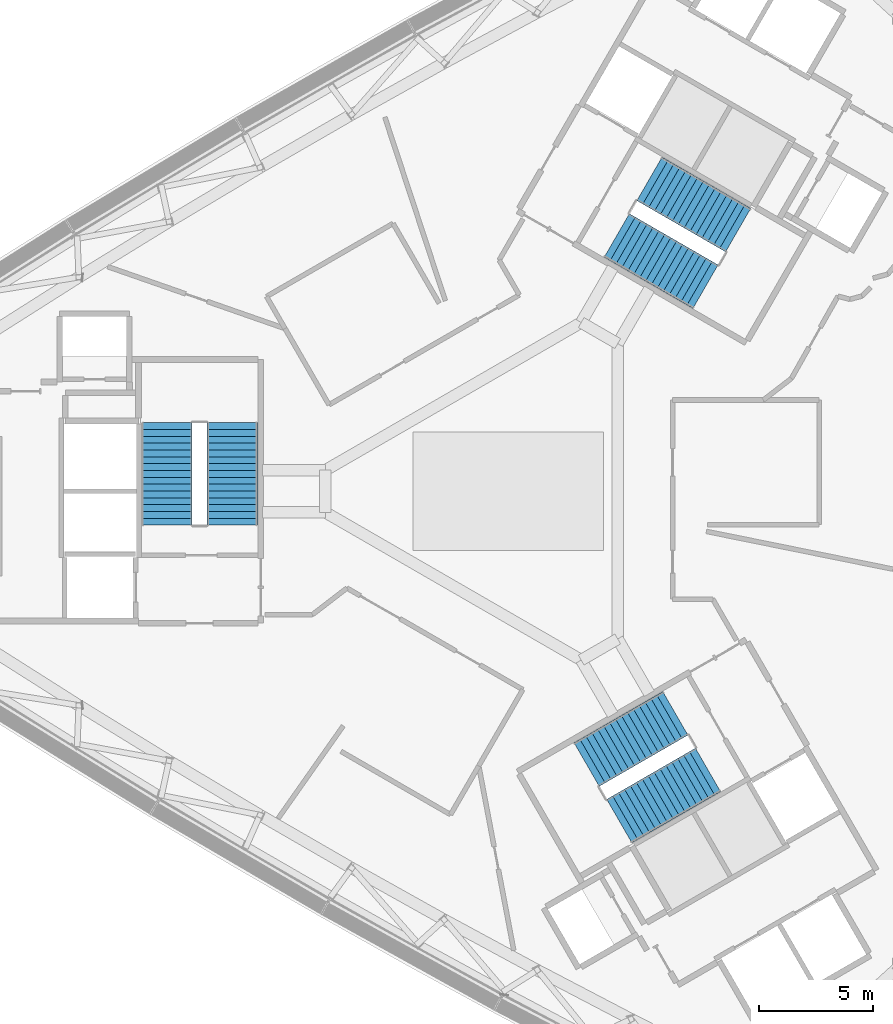
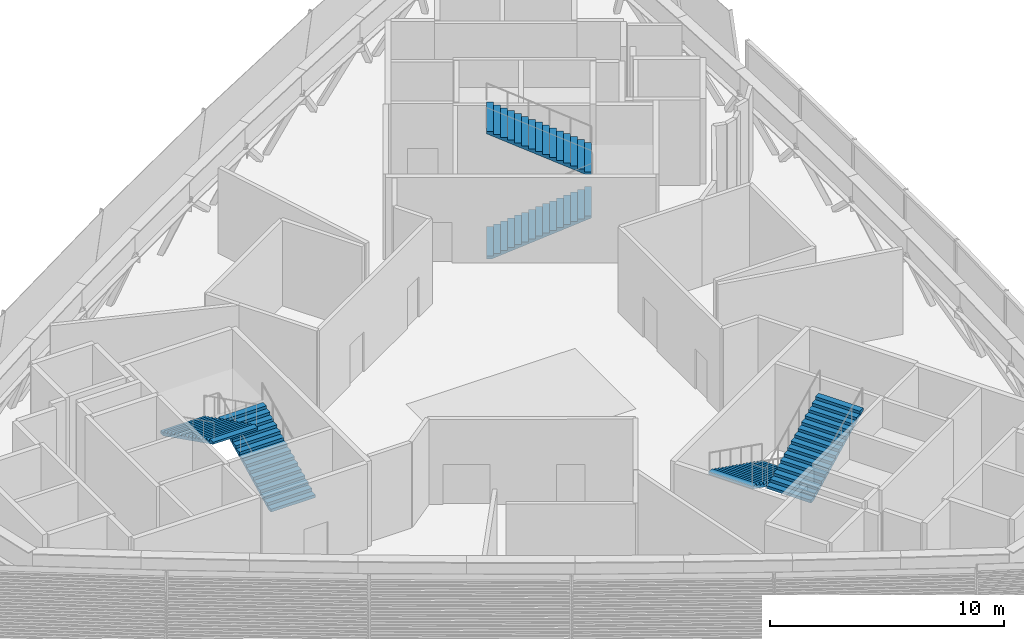
# One storey, part 13 of 18: 6 stair flights, 3 elements without a shape of their own.
"""IFC4 building model written with IfcOpenShell, lengths in metres."""

from ifc_helpers import new_model, si_unit, direction, frame, origin, place, context, subcontext, project, spatial, polyline, outline, extrude, material, type_object, element, aggregate, save


model = new_model("IFC4")

# Units and contexts
model_context = context("Model", 3, precision=1e-05, world=origin(), true_north=direction((0.0, 1.0)))
body_context = subcontext(model_context, "Body", "Model", "MODEL_VIEW")
ifc_project = project(units=[si_unit("LENGTHUNIT", "METRE"), si_unit("AREAUNIT", "SQUARE_METRE"), si_unit("VOLUMEUNIT", "CUBIC_METRE"), si_unit("PLANEANGLEUNIT", "RADIAN"), si_unit("MASSUNIT", "GRAM", prefix="KILO")], contexts=[model_context])

# Site, building, storey
site_placement = place(None, origin())
site = spatial("IfcSite", under=ifc_project, at=site_placement, CompositionType="ELEMENT")
building_placement = place(site_placement, origin())
building = spatial("IfcBuilding", under=site, at=building_placement, Name="Tamra Quay Hotel Tower", CompositionType="ELEMENT")
storey_placement = place(building_placement, frame((0.0, 0.0, 164.800048828125)))
storey = spatial("IfcBuildingStorey", under=building, at=storey_placement, Name="L41", CompositionType="ELEMENT", Elevation=164.800048828125)

# Stair, stair flights
ifc_material_1 = material(Name="Exit stair 2200 32 risers 150.0 going 299")
stair_type = type_object("IfcStairType", Name="Exit stair 2200 32 risers 150.0 going 299", PredefinedType="HALF_TURN_STAIR", material=ifc_material_1)
stair_1_placement = place(storey_placement, origin())
stair_1 = element("IfcStair", 1, at=stair_1_placement, inside=storey, type_object=stair_type, Name="L41 Exit stair ST3", PredefinedType="HALF_TURN_STAIR")
ifc_material_2 = material(Name="Exit stair flight 2200 16 risers 150.0")
stair_flight_type = type_object("IfcStairFlightType", Name="Exit stair flight 2200 16 risers 150.0", PredefinedType="STRAIGHT", material=ifc_material_2)
stair_flight_1_placement = place(storey_placement, frame((-12.082275390625, -1.47998046875, 0.0), z_axis=(0.0, 0.0, 1.0), x_axis=(0.0, 1.0, 0.0)))
stair_flight_1 = element("IfcStairFlight", 2, at=stair_flight_1_placement, type_object=stair_flight_type, Name="ST3 flight 1", NumberOfRisers=16, NumberOfTreads=15, PredefinedType="STRAIGHT", RiserHeight=0.15, TreadLength=0.299, context=body_context, shape_type="SweptSolid", body=[
    extrude(outline(polyline([(0.0, 0.0), (0.0, 0.14990234375), (0.299072265625, 0.14990234375), (0.299072265625, 0.300048828125), (0.597900390625, 0.300048828125), (0.597900390625, 0.449951171875), (0.89697265625, 0.449951171875), (0.89697265625, 0.60009765625), (1.196044921875, 0.60009765625), (1.196044921875, 0.75), (1.4951171875, 0.75), (1.4951171875, 0.89990234375), (1.7939453125, 0.89990234375), (1.7939453125, 1.050048828125), (2.093017578125, 1.050048828125), (2.093017578125, 1.199951171875), (2.39208984375, 1.199951171875), (2.39208984375, 1.35009765625), (2.69091796875, 1.35009765625), (2.69091796875, 1.5), (2.989990234375, 1.5), (2.989990234375, 1.64990234375), (3.2890625, 1.64990234375), (3.2890625, 1.800048828125), (3.587890625, 1.800048828125), (3.587890625, 1.949951171875), (3.886962890625, 1.949951171875), (3.886962890625, 2.10009765625), (4.18603515625, 2.10009765625), (4.18603515625, 2.25), (4.485107421875, 2.25), (4.485107421875, 2.39990234375), (4.485107421875, 2.137939453125), (0.22314453125, 0.0), (0.0, 0.0)])), frame((0.0, 1.10009765625, 0.0), z_axis=(0.0, -1.0, 0.0), x_axis=(1.0, 0.0, 0.0)), (0.0, 0.0, 1.0), 2.199951171875),
])
stair_flight_2_placement = place(storey_placement, frame((-14.94140625, 3.0048828125, 2.39990234375), z_axis=(0.0, 0.0, 1.0), x_axis=(0.0, -1.0, 0.0)))
stair_flight_2 = element("IfcStairFlight", 3, at=stair_flight_2_placement, type_object=stair_flight_type, Name="ST3 flight 2", NumberOfRisers=16, NumberOfTreads=15, PredefinedType="STRAIGHT", RiserHeight=0.15, TreadLength=0.299, context=body_context, shape_type="SweptSolid", body=[
    extrude(outline(polyline([(0.0, 0.0), (0.0, 0.14990234375), (0.299072265625, 0.14990234375), (0.299072265625, 0.300048828125), (0.597900390625, 0.300048828125), (0.597900390625, 0.449951171875), (0.89697265625, 0.449951171875), (0.89697265625, 0.60009765625), (1.196044921875, 0.60009765625), (1.196044921875, 0.75), (1.4951171875, 0.75), (1.4951171875, 0.89990234375), (1.7939453125, 0.89990234375), (1.7939453125, 1.050048828125), (2.093017578125, 1.050048828125), (2.093017578125, 1.199951171875), (2.39208984375, 1.199951171875), (2.39208984375, 1.35009765625), (2.69091796875, 1.35009765625), (2.69091796875, 1.5), (2.989990234375, 1.5), (2.989990234375, 1.64990234375), (3.2890625, 1.64990234375), (3.2890625, 1.800048828125), (3.587890625, 1.800048828125), (3.587890625, 1.949951171875), (3.886962890625, 1.949951171875), (3.886962890625, 2.10009765625), (4.18603515625, 2.10009765625), (4.18603515625, 2.25), (4.485107421875, 2.25), (4.485107421875, 2.39990234375), (4.485107421875, 2.137939453125), (0.22314453125, 0.0), (0.0, 0.0)])), frame((0.0, 1.10009765625, 0.0), z_axis=(0.0, -1.0, 0.0), x_axis=(1.0, 0.0, 0.0)), (0.0, 0.0, 1.0), 2.199951171875),
])
aggregate(stair_1, [stair_flight_1, stair_flight_2])

stair_2_placement = place(storey_placement, origin())
stair_2 = element("IfcStair", 4, at=stair_2_placement, inside=storey, type_object=stair_type, Name="L41 Exit stair ST1", PredefinedType="HALF_TURN_STAIR")
stair_flight_3_placement = place(storey_placement, frame((4.75927734375, 11.20361328125, 0.0), z_axis=(0.0, 0.0, 1.0), x_axis=(0.866025403784, -0.5, 0.0)))
stair_flight_3 = element("IfcStairFlight", 5, at=stair_flight_3_placement, type_object=stair_flight_type, Name="ST1 flight 1", NumberOfRisers=16, NumberOfTreads=15, PredefinedType="STRAIGHT", RiserHeight=0.15, TreadLength=0.299, context=body_context, shape_type="SweptSolid", body=[
    extrude(outline(polyline([(0.0, 0.0), (0.0, 0.14990234375), (0.299072265625, 0.14990234375), (0.299072265625, 0.300048828125), (0.597900390625, 0.300048828125), (0.597900390625, 0.449951171875), (0.89697265625, 0.449951171875), (0.89697265625, 0.60009765625), (1.196044921875, 0.60009765625), (1.196044921875, 0.75), (1.4951171875, 0.75), (1.4951171875, 0.89990234375), (1.7939453125, 0.89990234375), (1.7939453125, 1.050048828125), (2.093017578125, 1.050048828125), (2.093017578125, 1.199951171875), (2.39208984375, 1.199951171875), (2.39208984375, 1.35009765625), (2.69091796875, 1.35009765625), (2.69091796875, 1.5), (2.989990234375, 1.5), (2.989990234375, 1.64990234375), (3.2890625, 1.64990234375), (3.2890625, 1.800048828125), (3.587890625, 1.800048828125), (3.587890625, 1.949951171875), (3.886962890625, 1.949951171875), (3.886962890625, 2.10009765625), (4.18603515625, 2.10009765625), (4.18603515625, 2.25), (4.485107421875, 2.25), (4.485107421875, 2.39990234375), (4.485107421875, 2.137939453125), (0.22314453125, 0.0), (0.0, 0.0)])), frame((0.0, 1.10009765625, 0.0), z_axis=(0.0, -1.0, 0.0), x_axis=(1.0, 0.0, 0.0)), (0.0, 0.0, 1.0), 2.199951171875),
])
stair_flight_4_placement = place(storey_placement, frame((10.072998046875, 11.43701171875, 2.39990234375), z_axis=(0.0, 0.0, 1.0), x_axis=(-0.866025403784, 0.5, 0.0)))
stair_flight_4 = element("IfcStairFlight", 6, at=stair_flight_4_placement, type_object=stair_flight_type, Name="ST1 flight 2", NumberOfRisers=16, NumberOfTreads=15, PredefinedType="STRAIGHT", RiserHeight=0.15, TreadLength=0.299, context=body_context, shape_type="SweptSolid", body=[
    extrude(outline(polyline([(0.0, 0.0), (0.0, 0.14990234375), (0.299072265625, 0.14990234375), (0.299072265625, 0.300048828125), (0.597900390625, 0.300048828125), (0.597900390625, 0.449951171875), (0.89697265625, 0.449951171875), (0.89697265625, 0.60009765625), (1.196044921875, 0.60009765625), (1.196044921875, 0.75), (1.4951171875, 0.75), (1.4951171875, 0.89990234375), (1.7939453125, 0.89990234375), (1.7939453125, 1.050048828125), (2.093017578125, 1.050048828125), (2.093017578125, 1.199951171875), (2.39208984375, 1.199951171875), (2.39208984375, 1.35009765625), (2.69091796875, 1.35009765625), (2.69091796875, 1.5), (2.989990234375, 1.5), (2.989990234375, 1.64990234375), (3.2890625, 1.64990234375), (3.2890625, 1.800048828125), (3.587890625, 1.800048828125), (3.587890625, 1.949951171875), (3.886962890625, 1.949951171875), (3.886962890625, 2.10009765625), (4.18603515625, 2.10009765625), (4.18603515625, 2.25), (4.485107421875, 2.25), (4.485107421875, 2.39990234375), (4.485107421875, 2.137939453125), (0.22314453125, 0.0), (0.0, 0.0)])), frame((0.0, 1.10009765625, 0.0), z_axis=(0.0, -1.0, 0.0), x_axis=(1.0, 0.0, 0.0)), (0.0, 0.0, 1.0), 2.199951171875),
])
aggregate(stair_2, [stair_flight_3, stair_flight_4])

stair_3_placement = place(storey_placement, origin())
stair_3 = element("IfcStair", 7, at=stair_3_placement, inside=storey, type_object=stair_type, Name="L41 Exit stair ST2", PredefinedType="HALF_TURN_STAIR")
stair_flight_5_placement = place(storey_placement, frame((7.322998046875, -9.7236328125, 0.0), z_axis=(0.0, 0.0, 1.0), x_axis=(-0.866025403784, -0.5, 0.0)))
stair_flight_5 = element("IfcStairFlight", 8, at=stair_flight_5_placement, type_object=stair_flight_type, Name="ST2 flight 1", NumberOfRisers=16, NumberOfTreads=15, PredefinedType="STRAIGHT", RiserHeight=0.15, TreadLength=0.299, context=body_context, shape_type="SweptSolid", body=[
    extrude(outline(polyline([(0.0, 0.0), (0.0, 0.14990234375), (0.299072265625, 0.14990234375), (0.299072265625, 0.300048828125), (0.597900390625, 0.300048828125), (0.597900390625, 0.449951171875), (0.89697265625, 0.449951171875), (0.89697265625, 0.60009765625), (1.196044921875, 0.60009765625), (1.196044921875, 0.75), (1.4951171875, 0.75), (1.4951171875, 0.89990234375), (1.7939453125, 0.89990234375), (1.7939453125, 1.050048828125), (2.093017578125, 1.050048828125), (2.093017578125, 1.199951171875), (2.39208984375, 1.199951171875), (2.39208984375, 1.35009765625), (2.69091796875, 1.35009765625), (2.69091796875, 1.5), (2.989990234375, 1.5), (2.989990234375, 1.64990234375), (3.2890625, 1.64990234375), (3.2890625, 1.800048828125), (3.587890625, 1.800048828125), (3.587890625, 1.949951171875), (3.886962890625, 1.949951171875), (3.886962890625, 2.10009765625), (4.18603515625, 2.10009765625), (4.18603515625, 2.25), (4.485107421875, 2.25), (4.485107421875, 2.39990234375), (4.485107421875, 2.137939453125), (0.22314453125, 0.0), (0.0, 0.0)])), frame((0.0, 1.10009765625, 0.0), z_axis=(0.0, -1.0, 0.0), x_axis=(1.0, 0.0, 0.0)), (0.0, 0.0, 1.0), 2.199951171875),
])
stair_flight_6_placement = place(storey_placement, frame((4.868408203125, -14.44189453125, 2.39990234375), z_axis=(0.0, 0.0, 1.0), x_axis=(0.866025403784, 0.5, 0.0)))
stair_flight_6 = element("IfcStairFlight", 9, at=stair_flight_6_placement, type_object=stair_flight_type, Name="ST2 flight 2", NumberOfRisers=16, NumberOfTreads=15, PredefinedType="STRAIGHT", RiserHeight=0.15, TreadLength=0.299, context=body_context, shape_type="SweptSolid", body=[
    extrude(outline(polyline([(0.0, 0.0), (0.0, 0.14990234375), (0.299072265625, 0.14990234375), (0.299072265625, 0.300048828125), (0.597900390625, 0.300048828125), (0.597900390625, 0.449951171875), (0.89697265625, 0.449951171875), (0.89697265625, 0.60009765625), (1.196044921875, 0.60009765625), (1.196044921875, 0.75), (1.4951171875, 0.75), (1.4951171875, 0.89990234375), (1.7939453125, 0.89990234375), (1.7939453125, 1.050048828125), (2.093017578125, 1.050048828125), (2.093017578125, 1.199951171875), (2.39208984375, 1.199951171875), (2.39208984375, 1.35009765625), (2.69091796875, 1.35009765625), (2.69091796875, 1.5), (2.989990234375, 1.5), (2.989990234375, 1.64990234375), (3.2890625, 1.64990234375), (3.2890625, 1.800048828125), (3.587890625, 1.800048828125), (3.587890625, 1.949951171875), (3.886962890625, 1.949951171875), (3.886962890625, 2.10009765625), (4.18603515625, 2.10009765625), (4.18603515625, 2.25), (4.485107421875, 2.25), (4.485107421875, 2.39990234375), (4.485107421875, 2.137939453125), (0.22314453125, 0.0), (0.0, 0.0)])), frame((0.0, 1.10009765625, 0.0), z_axis=(0.0, -1.0, 0.0), x_axis=(1.0, 0.0, 0.0)), (0.0, 0.0, 1.0), 2.199951171875),
])
aggregate(stair_3, [stair_flight_5, stair_flight_6])

save(model, "model.ifc")
